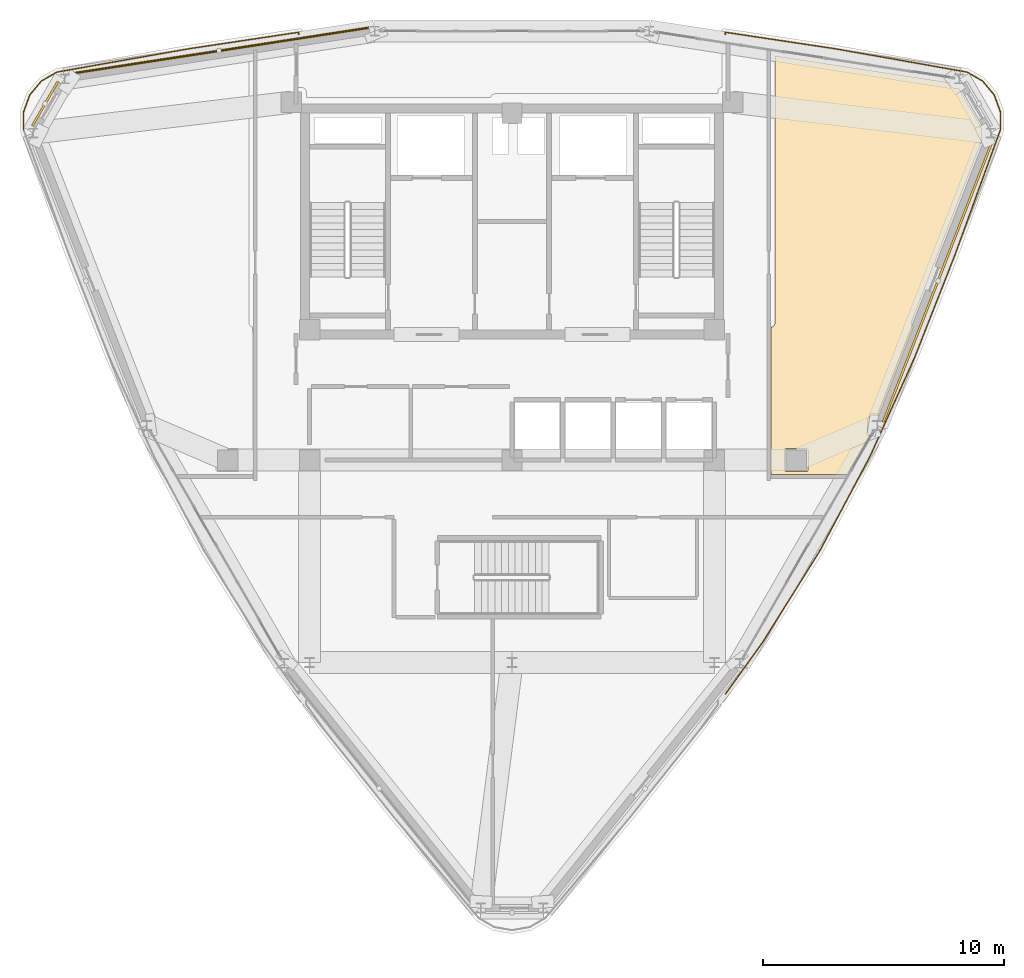
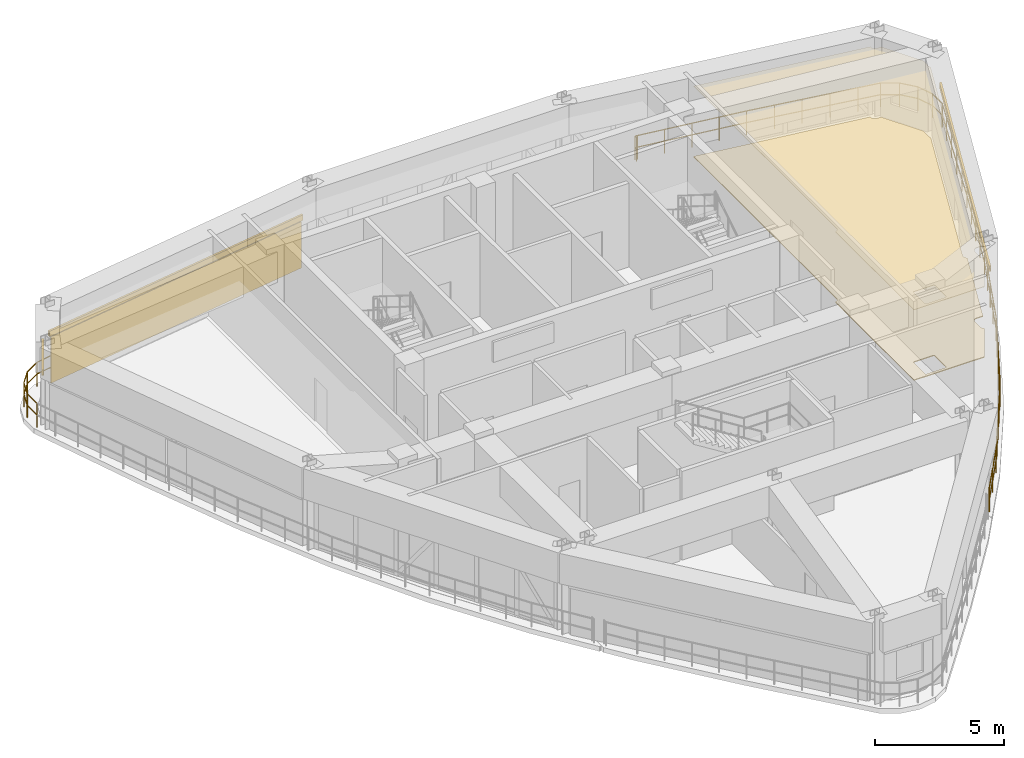
# One storey, part 17 of 18: 3 coverings, 3 shading devices, 2 railings.
"""IFC4 building model written with IfcOpenShell, lengths in metres."""

from ifc_helpers import new_model, si_unit, derived_unit, direction, frame, origin, origin_2d, place, context, subcontext, project, spatial, polyline, hollow_rectangle, circle, outline, extrude, source, transform, mapped, material, layer, layer_set, material_profile, profile_set, type_object, element, save


model = new_model("IFC4")

# Units and contexts
model_context = context("Model", 3, precision=1e-05, world=origin(), true_north=direction((0.0, 1.0)))
body_context = subcontext(model_context, "Body", "Model", "MODEL_VIEW")
ifc_project = project(units=[si_unit("LENGTHUNIT", "METRE"), si_unit("AREAUNIT", "SQUARE_METRE"), si_unit("VOLUMEUNIT", "CUBIC_METRE"), si_unit("PLANEANGLEUNIT", "RADIAN"), si_unit("MASSUNIT", "GRAM", prefix="KILO"), derived_unit("THERMALTRANSMITTANCEUNIT", [(si_unit("POWERUNIT", "WATT"), 1), (si_unit("LENGTHUNIT", "METRE"), -2), (si_unit("THERMODYNAMICTEMPERATUREUNIT", "KELVIN"), -1)])], contexts=[model_context])

# Site, building, storey
site_placement = place(None, origin())
site = spatial("IfcSite", under=ifc_project, at=site_placement, CompositionType="ELEMENT")
building_placement = place(site_placement, origin())
building = spatial("IfcBuilding", under=site, at=building_placement, Name="Korsvarv Bourse and Concert Hall", CompositionType="ELEMENT")
storey_placement = place(building_placement, frame((0.0, 0.0, 275.39990234375)))
storey = spatial("IfcBuildingStorey", under=building, at=storey_placement, Name="L72", CompositionType="ELEMENT", Elevation=275.39990234375)

# Coverings
ifc_material_1 = material(Name="Perforated mineral-wool and birch acoustic baffle ceiling", Category="wood")
ifc_layer_1 = layer(ifc_material_1, 0.02490234375)
ifc_layer_set_1 = layer_set([ifc_layer_1], Name="Perforated mineral-wool and birch acoustic baffle ceiling")
covering_type_1 = type_object("IfcCoveringType", Name="COV-CEIL-1", PredefinedType="CEILING", material=ifc_layer_set_1)
covering_1_placement = place(storey_placement, frame((0.0, 0.0, 3.340087890625)))
element("IfcCovering", 1, at=covering_1_placement, inside=storey, type_object=covering_type_1, Name="L72 acoustic baffle ceiling 1", PredefinedType="CEILING", context=body_context, shape_type="SweptSolid", body=[
    extrude(outline(polyline([(46.75, 37.911376953125), (46.775146484375, 37.915771484375), (46.809326171875, 37.928466796875), (46.840087890625, 37.94775390625), (46.86669921875, 37.972900390625), (46.887451171875, 38.002685546875), (46.901611328125, 38.0361328125), (46.9091796875, 38.07177734375), (46.909912109375, 49.174560546875), (54.173583984375, 48.055908203125), (54.173583984375, 48.018798828125), (54.177001953125, 47.984375), (54.186767578125, 47.951416015625), (54.20263671875, 47.920654296875), (54.22412109375, 47.893798828125), (54.250244140625, 47.871337890625), (54.280517578125, 47.854248046875), (54.31298828125, 47.84326171875), (54.347412109375, 47.8388671875), (54.532958984375, 47.832275390625), (55.483154296875, 46.186279296875), (55.472900390625, 45.772705078125), (55.4755859375, 45.7373046875), (55.485107421875, 45.703125), (55.5009765625, 45.671630859375), (52.585693359375, 38.144287109375), (52.576171875, 38.109130859375), (52.57373046875, 38.07275390625), (52.57861328125, 38.03662109375), (52.5908203125, 38.00244140625), (52.609619140625, 37.97119140625), (52.634033203125, 37.9443359375), (52.66357421875, 37.923095703125), (51.23291015625, 34.222412109375), (50.9482421875, 34.22509765625), (50.913330078125, 34.22216796875), (50.8798828125, 34.21240234375), (50.8486328125, 34.1962890625), (50.8212890625, 34.1748046875), (50.798583984375, 34.14794921875), (50.781494140625, 34.117431640625), (50.770751953125, 34.084228515625), (50.7666015625, 34.049560546875), (50.756591796875, 33.640625), (50.759033203125, 33.605712890625), (50.768310546875, 33.572265625), (50.78369140625, 33.541015625), (50.804931640625, 33.51318359375), (50.8310546875, 33.490234375), (50.861083984375, 33.47265625), (49.8994140625, 31.794921875), (49.874267578125, 31.802001953125), (49.8388671875, 31.8056640625), (46.75, 31.81005859375), (46.75, 37.911376953125)]), holes=[polyline([(47.365234375, 31.926025390625), (48.22509765625, 31.925048828125), (48.24853515625, 31.930908203125), (48.2666015625, 31.947265625), (48.27490234375, 31.97021484375), (48.27490234375, 32.824951171875), (48.26904296875, 32.8486328125), (48.252685546875, 32.86669921875), (48.22998046875, 32.874755859375), (47.375, 32.875), (47.351318359375, 32.869140625), (47.33349609375, 32.852783203125), (47.3251953125, 32.829833984375), (47.324951171875, 31.97509765625), (47.330810546875, 31.951416015625), (47.365234375, 31.926025390625)])]), origin(), (0.0, 0.0, 1.0), 0.02490234375),
])
ifc_material_2 = material(Name="Warm iron-oxide extruded terracotta rainscreen tile", Category="ceramic")
ifc_layer_2 = layer(ifc_material_2, 0.044921875)
ifc_layer_set_2 = layer_set([ifc_layer_2], Name="Warm iron-oxide extruded terracotta rainscreen tile")
covering_type_2 = type_object("IfcCoveringType", Name="COV-CLD-TC", PredefinedType="CLADDING", material=ifc_layer_set_2)
covering_2_placement = place(storey_placement, origin())
element("IfcCovering", 2, at=covering_2_placement, inside=storey, type_object=covering_type_2, Name="L72 fluted terracotta cladding panel EW-L72-B04", PredefinedType="CLADDING", context=body_context, shape_type="SweptSolid", body=[
    extrude(outline(polyline([(29.99560546875, 50.289306640625), (17.699951171875, 48.3955078125), (17.693115234375, 48.43994140625), (29.98876953125, 50.333740234375), (29.99560546875, 50.289306640625)])), origin(), (0.0, 0.0, 1.0), 2.2001953125),
])
ifc_material_3 = material(Name="Calcium-sulphate raised access trading floor with Nordic oak top", Category="wood")
ifc_layer_3 = layer(ifc_material_3, 0.0400390625)
ifc_layer_set_3 = layer_set([ifc_layer_3], Name="Calcium-sulphate raised access trading floor with Nordic oak top")
covering_type_3 = type_object("IfcCoveringType", Name="COV-FLOR-1", PredefinedType="FLOORING", material=ifc_layer_set_3)
covering_3_placement = place(storey_placement, origin())
element("IfcCovering", 3, at=covering_3_placement, inside=storey, type_object=covering_type_3, Name="L72 raised access oak floor finish 1", PredefinedType="FLOORING", context=body_context, shape_type="SweptSolid", body=[
    extrude(outline(polyline([(46.75, 37.911376953125), (46.775146484375, 37.915771484375), (46.809326171875, 37.928466796875), (46.840087890625, 37.94775390625), (46.86669921875, 37.972900390625), (46.887451171875, 38.002685546875), (46.901611328125, 38.0361328125), (46.9091796875, 38.07177734375), (46.909912109375, 49.174560546875), (54.173583984375, 48.055908203125), (54.173583984375, 48.018798828125), (54.177001953125, 47.984375), (54.186767578125, 47.951416015625), (54.20263671875, 47.920654296875), (54.22412109375, 47.893798828125), (54.250244140625, 47.871337890625), (54.280517578125, 47.854248046875), (54.31298828125, 47.84326171875), (54.347412109375, 47.8388671875), (54.532958984375, 47.832275390625), (55.483154296875, 46.186279296875), (55.472900390625, 45.772705078125), (55.4755859375, 45.7373046875), (55.485107421875, 45.703125), (55.5009765625, 45.671630859375), (52.585693359375, 38.144287109375), (52.576171875, 38.109130859375), (52.57373046875, 38.07275390625), (52.57861328125, 38.03662109375), (52.5908203125, 38.00244140625), (52.609619140625, 37.97119140625), (52.634033203125, 37.9443359375), (52.66357421875, 37.923095703125), (51.23291015625, 34.222412109375), (50.9482421875, 34.22509765625), (50.913330078125, 34.22216796875), (50.8798828125, 34.21240234375), (50.8486328125, 34.1962890625), (50.8212890625, 34.1748046875), (50.798583984375, 34.14794921875), (50.781494140625, 34.117431640625), (50.770751953125, 34.084228515625), (50.7666015625, 34.049560546875), (50.756591796875, 33.640625), (50.759033203125, 33.605712890625), (50.768310546875, 33.572265625), (50.78369140625, 33.541015625), (50.804931640625, 33.51318359375), (50.8310546875, 33.490234375), (50.861083984375, 33.47265625), (49.8994140625, 31.794921875), (49.874267578125, 31.802001953125), (49.8388671875, 31.8056640625), (46.75, 31.81005859375), (46.75, 37.911376953125)]), holes=[polyline([(47.365234375, 31.926025390625), (48.22509765625, 31.925048828125), (48.24853515625, 31.930908203125), (48.2666015625, 31.947265625), (48.27490234375, 31.97021484375), (48.27490234375, 32.824951171875), (48.26904296875, 32.8486328125), (48.252685546875, 32.86669921875), (48.22998046875, 32.874755859375), (47.375, 32.875), (47.351318359375, 32.869140625), (47.33349609375, 32.852783203125), (47.3251953125, 32.829833984375), (47.324951171875, 31.97509765625), (47.330810546875, 31.951416015625), (47.365234375, 31.926025390625)])]), origin(), (0.0, 0.0, 1.0), 0.0400390625),
])

# Railings
ifc_material_4 = material(Name="Laminated safety glass and stainless Steel S355 balustrade", Category="steel")
railing_type = type_object("IfcRailingType", Name="RL-BAL-EXT", PredefinedType="BALUSTRADE", material=ifc_material_4)
railing_1_placement = place(storey_placement, frame((15.7353515625, 46.100830078125, 0.0)))
element("IfcRailing", 4, at=railing_1_placement, inside=storey, type_object=railing_type, Name="L72 terrace perimeter balustrade SKYG1-1", PredefinedType="BALUSTRADE", context=body_context, shape_type="SweptSolid", body=[
    extrude(circle(Radius=0.02392578125, at=origin_2d()), frame((0.0, 0.0, 1.1259765625), z_axis=(0.0, 1.0, 0.0), x_axis=(-1.0, 0.0, 0.0)), (0.0, 0.0, 1.0), 0.748291015625),
    extrude(circle(Radius=0.02392578125, at=origin_2d()), frame((0.0, 0.0, 0.574951171875), z_axis=(0.0, 1.0, 0.0), x_axis=(-1.0, 0.0, 0.0)), (0.0, 0.0, 1.0), 0.748291015625),
    extrude(circle(Radius=0.02392578125, at=origin_2d()), frame((0.0, 0.748291015625, 1.1259765625), z_axis=(0.342057522648, 0.939679014983, 0.0), x_axis=(-0.939679014983, 0.342057522648, 0.0)), (0.0, 0.0, 1.0), 0.748046875),
    extrude(circle(Radius=0.02392578125, at=origin_2d()), frame((0.0, 0.748291015625, 0.574951171875), z_axis=(0.342057522648, 0.939679014983, 0.0), x_axis=(-0.939679014983, 0.342057522648, 0.0)), (0.0, 0.0, 1.0), 0.748046875),
    extrude(circle(Radius=0.02392578125, at=origin_2d()), frame((0.255859375, 1.451171875, 1.1259765625), z_axis=(0.642908859088, 0.765942686437, 0.0), x_axis=(-0.765942686437, 0.642908859088, 0.0)), (0.0, 0.0, 1.0), 0.748046875),
    extrude(circle(Radius=0.02392578125, at=origin_2d()), frame((0.255859375, 1.451171875, 0.574951171875), z_axis=(0.642908859088, 0.765942686437, 0.0), x_axis=(-0.765942686437, 0.642908859088, 0.0)), (0.0, 0.0, 1.0), 0.748046875),
    extrude(circle(Radius=0.02392578125, at=origin_2d()), frame((0.73681640625, 2.024169921875, 1.1259765625), z_axis=(0.865984448825, 0.500070929363, 0.0), x_axis=(-0.500070929363, 0.865984448825, 0.0)), (0.0, 0.0, 1.0), 0.748046875),
    extrude(circle(Radius=0.02392578125, at=origin_2d()), frame((0.73681640625, 2.024169921875, 0.574951171875), z_axis=(0.865984448825, 0.500070929363, 0.0), x_axis=(-0.500070929363, 0.865984448825, 0.0)), (0.0, 0.0, 1.0), 0.748046875),
    extrude(circle(Radius=0.02392578125, at=origin_2d()), frame((1.384521484375, 2.398193359375, 1.1259765625), z_axis=(0.984759782106, 0.173920014794, 0.0), x_axis=(-0.173920014794, 0.984759782106, 0.0)), (0.0, 0.0, 1.0), 0.9306640625),
    extrude(circle(Radius=0.02392578125, at=origin_2d()), frame((1.384521484375, 2.398193359375, 0.574951171875), z_axis=(0.984759782106, 0.173920014794, 0.0), x_axis=(-0.173920014794, 0.984759782106, 0.0)), (0.0, 0.0, 1.0), 0.9306640625),
    extrude(circle(Radius=0.02392578125, at=origin_2d()), frame((2.301025390625, 2.56005859375, 1.1259765625), z_axis=(0.984668233692, 0.174437580692, 0.0), x_axis=(-0.174437580692, 0.984668233692, 0.0)), (0.0, 0.0, 1.0), 4.590576171875),
    extrude(circle(Radius=0.02392578125, at=origin_2d()), frame((2.301025390625, 2.56005859375, 0.574951171875), z_axis=(0.984668233692, 0.174437580692, 0.0), x_axis=(-0.174437580692, 0.984668233692, 0.0)), (0.0, 0.0, 1.0), 4.590576171875),
    extrude(circle(Radius=0.02392578125, at=origin_2d()), frame((6.8212890625, 3.36083984375, 1.1259765625), z_axis=(0.98890286485, 0.148563534866, 0.0), x_axis=(-0.148563534866, 0.98890286485, 0.0)), (0.0, 0.0, 1.0), 4.548828125),
    extrude(circle(Radius=0.02392578125, at=origin_2d()), frame((6.8212890625, 3.36083984375, 0.574951171875), z_axis=(0.98890286485, 0.148563534866, 0.0), x_axis=(-0.148563534866, 0.98890286485, 0.0)), (0.0, 0.0, 1.0), 4.548828125),
    extrude(circle(Radius=0.02392578125, at=origin_2d()), frame((11.319580078125, 4.03662109375, 1.1259765625), z_axis=(0.995011832525, 0.099756970356, 0.0), x_axis=(-0.099756970356, 0.995011832525, 0.0)), (0.0, 0.0, 1.0), 0.095458984375),
    extrude(circle(Radius=0.02392578125, at=origin_2d()), frame((11.319580078125, 4.03662109375, 0.574951171875), z_axis=(0.995011832525, 0.099756970356, 0.0), x_axis=(-0.099756970356, 0.995011832525, 0.0)), (0.0, 0.0, 1.0), 0.095458984375),
    extrude(circle(Radius=0.02392578125, at=origin_2d()), frame((11.41455078125, 4.046142578125, 1.1259765625), z_axis=(0.0, -1.0, 0.0), x_axis=(1.0, 0.0, 0.0)), (0.0, 0.0, 1.0), 0.096923828125),
    extrude(circle(Radius=0.02392578125, at=origin_2d()), frame((11.41455078125, 4.046142578125, 0.574951171875), z_axis=(0.0, -1.0, 0.0), x_axis=(1.0, 0.0, 0.0)), (0.0, 0.0, 1.0), 0.096923828125),
    extrude(circle(Radius=0.02099609375, at=origin_2d()), origin(), (0.0, 0.0, 1.0), 1.101806640625),
    extrude(circle(Radius=0.02099609375, at=origin_2d()), frame((0.0, 0.748291015625, 0.0)), (0.0, 0.0, 1.0), 1.101806640625),
    extrude(circle(Radius=0.02099609375, at=origin_2d()), frame((0.255859375, 1.451171875, 0.0)), (0.0, 0.0, 1.0), 1.101806640625),
    extrude(circle(Radius=0.02099609375, at=origin_2d()), frame((0.73681640625, 2.024169921875, 0.0)), (0.0, 0.0, 1.0), 1.101806640625),
    extrude(circle(Radius=0.02099609375, at=origin_2d()), frame((1.384521484375, 2.398193359375, 0.0)), (0.0, 0.0, 1.0), 1.101806640625),
    extrude(circle(Radius=0.02099609375, at=origin_2d()), frame((2.301025390625, 2.56005859375, 0.0)), (0.0, 0.0, 1.0), 1.101806640625),
    extrude(circle(Radius=0.02099609375, at=origin_2d()), frame((3.43115234375, 2.76025390625, 0.0)), (0.0, 0.0, 1.0), 1.101806640625),
    extrude(circle(Radius=0.02099609375, at=origin_2d()), frame((4.56103515625, 2.96044921875, 0.0)), (0.0, 0.0, 1.0), 1.101806640625),
    extrude(circle(Radius=0.02099609375, at=origin_2d()), frame((5.691162109375, 3.16064453125, 0.0)), (0.0, 0.0, 1.0), 1.101806640625),
    extrude(circle(Radius=0.02099609375, at=origin_2d()), frame((6.8212890625, 3.36083984375, 0.0)), (0.0, 0.0, 1.0), 1.101806640625),
    extrude(circle(Radius=0.02099609375, at=origin_2d()), frame((7.94580078125, 3.52978515625, 0.0)), (0.0, 0.0, 1.0), 1.101806640625),
    extrude(circle(Radius=0.02099609375, at=origin_2d()), frame((9.0703125, 3.69873046875, 0.0)), (0.0, 0.0, 1.0), 1.101806640625),
    extrude(circle(Radius=0.02099609375, at=origin_2d()), frame((10.195068359375, 3.86767578125, 0.0)), (0.0, 0.0, 1.0), 1.101806640625),
    extrude(circle(Radius=0.02099609375, at=origin_2d()), frame((11.319580078125, 4.03662109375, 0.0)), (0.0, 0.0, 1.0), 1.101806640625),
    extrude(circle(Radius=0.02099609375, at=origin_2d()), frame((11.41455078125, 4.046142578125, 0.0)), (0.0, 0.0, 1.0), 1.101806640625),
    extrude(circle(Radius=0.02099609375, at=origin_2d()), frame((11.41455078125, 3.94921875, 0.0)), (0.0, 0.0, 1.0), 1.101806640625),
])
railing_2_placement = place(storey_placement, frame((44.85009765625, 50.050048828125, 0.0)))
element("IfcRailing", 5, at=railing_2_placement, inside=storey, type_object=railing_type, Name="L72 terrace perimeter balustrade SKYG2-1", PredefinedType="BALUSTRADE", context=body_context, shape_type="SweptSolid", body=[
    extrude(circle(Radius=0.02392578125, at=origin_2d()), frame((0.0, 0.0, 1.1259765625), z_axis=(0.0, 1.0, 0.0), x_axis=(-1.0, 0.0, 0.0)), (0.0, 0.0, 1.0), 0.096923828125),
    extrude(circle(Radius=0.02392578125, at=origin_2d()), frame((0.0, 0.0, 0.574951171875), z_axis=(0.0, 1.0, 0.0), x_axis=(-1.0, 0.0, 0.0)), (0.0, 0.0, 1.0), 0.096923828125),
    extrude(circle(Radius=0.02392578125, at=origin_2d()), frame((0.0, 0.096923828125, 1.1259765625), z_axis=(0.995011832525, -0.099756970356, 0.0), x_axis=(0.099756970356, 0.995011832525, 0.0)), (0.0, 0.0, 1.0), 0.095458984375),
    extrude(circle(Radius=0.02392578125, at=origin_2d()), frame((0.0, 0.096923828125, 0.574951171875), z_axis=(0.995011832525, -0.099756970356, 0.0), x_axis=(0.099756970356, 0.995011832525, 0.0)), (0.0, 0.0, 1.0), 0.095458984375),
    extrude(circle(Radius=0.02392578125, at=origin_2d()), frame((0.094970703125, 0.08740234375, 1.1259765625), z_axis=(0.98890286485, -0.148563534866, 0.0), x_axis=(0.148563534866, 0.98890286485, 0.0)), (0.0, 0.0, 1.0), 4.548828125),
    extrude(circle(Radius=0.02392578125, at=origin_2d()), frame((0.094970703125, 0.08740234375, 0.574951171875), z_axis=(0.98890286485, -0.148563534866, 0.0), x_axis=(0.148563534866, 0.98890286485, 0.0)), (0.0, 0.0, 1.0), 4.548828125),
    extrude(circle(Radius=0.02392578125, at=origin_2d()), frame((4.59326171875, -0.58837890625, 1.1259765625), z_axis=(0.984662335567, -0.174470871253, 0.0), x_axis=(0.174470871253, 0.984662335567, 0.0)), (0.0, 0.0, 1.0), 4.591064453125),
    extrude(circle(Radius=0.02392578125, at=origin_2d()), frame((4.59326171875, -0.58837890625, 0.574951171875), z_axis=(0.984662335567, -0.174470871253, 0.0), x_axis=(0.174470871253, 0.984662335567, 0.0)), (0.0, 0.0, 1.0), 4.591064453125),
    extrude(circle(Radius=0.02392578125, at=origin_2d()), frame((9.114013671875, -1.389404296875, 1.1259765625), z_axis=(0.984788843001, -0.173755387544, 0.0), x_axis=(0.173755387544, 0.984788843001, 0.0)), (0.0, 0.0, 1.0), 0.93017578125),
    extrude(circle(Radius=0.02392578125, at=origin_2d()), frame((9.114013671875, -1.389404296875, 0.574951171875), z_axis=(0.984788843001, -0.173755387544, 0.0), x_axis=(0.173755387544, 0.984788843001, 0.0)), (0.0, 0.0, 1.0), 0.93017578125),
    extrude(circle(Radius=0.02392578125, at=origin_2d()), frame((10.030029296875, -1.551025390625, 1.1259765625), z_axis=(0.865984448825, -0.500070929363, 0.0), x_axis=(0.500070929363, 0.865984448825, 0.0)), (0.0, 0.0, 1.0), 0.748046875),
    extrude(circle(Radius=0.02392578125, at=origin_2d()), frame((10.030029296875, -1.551025390625, 0.574951171875), z_axis=(0.865984448825, -0.500070929363, 0.0), x_axis=(0.500070929363, 0.865984448825, 0.0)), (0.0, 0.0, 1.0), 0.748046875),
    extrude(circle(Radius=0.02392578125, at=origin_2d()), frame((10.677734375, -1.925048828125, 1.1259765625), z_axis=(0.642908859088, -0.765942686437, 0.0), x_axis=(0.765942686437, 0.642908859088, 0.0)), (0.0, 0.0, 1.0), 0.748046875),
    extrude(circle(Radius=0.02392578125, at=origin_2d()), frame((10.677734375, -1.925048828125, 0.574951171875), z_axis=(0.642908859088, -0.765942686437, 0.0), x_axis=(0.765942686437, 0.642908859088, 0.0)), (0.0, 0.0, 1.0), 0.748046875),
    extrude(circle(Radius=0.02392578125, at=origin_2d()), frame((11.15869140625, -2.498046875, 1.1259765625), z_axis=(0.342057522648, -0.939679014983, 0.0), x_axis=(0.939679014983, 0.342057522648, 0.0)), (0.0, 0.0, 1.0), 0.748046875),
    extrude(circle(Radius=0.02392578125, at=origin_2d()), frame((11.15869140625, -2.498046875, 0.574951171875), z_axis=(0.342057522648, -0.939679014983, 0.0), x_axis=(0.939679014983, 0.342057522648, 0.0)), (0.0, 0.0, 1.0), 0.748046875),
    extrude(circle(Radius=0.02392578125, at=origin_2d()), frame((11.41455078125, -3.200927734375, 1.1259765625), z_axis=(0.0, -1.0, 0.0), x_axis=(1.0, 0.0, 0.0)), (0.0, 0.0, 1.0), 0.748291015625),
    extrude(circle(Radius=0.02392578125, at=origin_2d()), frame((11.41455078125, -3.200927734375, 0.574951171875), z_axis=(0.0, -1.0, 0.0), x_axis=(1.0, 0.0, 0.0)), (0.0, 0.0, 1.0), 0.748291015625),
    extrude(circle(Radius=0.02392578125, at=origin_2d()), frame((11.41455078125, -3.94921875, 1.1259765625), z_axis=(-0.342164394589, -0.93964010508, 0.0), x_axis=(0.93964010508, -0.342164394589, 0.0)), (0.0, 0.0, 1.0), 0.930419921875),
    extrude(circle(Radius=0.02392578125, at=origin_2d()), frame((11.41455078125, -3.94921875, 0.574951171875), z_axis=(-0.342164394589, -0.93964010508, 0.0), x_axis=(0.93964010508, -0.342164394589, 0.0)), (0.0, 0.0, 1.0), 0.930419921875),
    extrude(circle(Radius=0.02392578125, at=origin_2d()), frame((11.09619140625, -4.823486328125, 1.1259765625), z_axis=(-0.341230579447, -0.939979622997, 0.0), x_axis=(0.939979622997, -0.341230579447, 0.0)), (0.0, 0.0, 1.0), 4.590576171875),
    extrude(circle(Radius=0.02392578125, at=origin_2d()), frame((11.09619140625, -4.823486328125, 0.574951171875), z_axis=(-0.341230579447, -0.939979622997, 0.0), x_axis=(0.939979622997, -0.341230579447, 0.0)), (0.0, 0.0, 1.0), 4.590576171875),
    extrude(circle(Radius=0.02392578125, at=origin_2d()), frame((9.52978515625, -9.138427734375, 1.1259765625), z_axis=(-0.365806723351, -0.930690840801, 0.0), x_axis=(0.930690840801, -0.365806723351, 0.0)), (0.0, 0.0, 1.0), 4.551025390625),
    extrude(circle(Radius=0.02392578125, at=origin_2d()), frame((9.52978515625, -9.138427734375, 0.574951171875), z_axis=(-0.365806723351, -0.930690840801, 0.0), x_axis=(0.930690840801, -0.365806723351, 0.0)), (0.0, 0.0, 1.0), 4.551025390625),
    extrude(circle(Radius=0.02392578125, at=origin_2d()), frame((7.864990234375, -13.3740234375, 1.1259765625), z_axis=(-0.411021108265, -0.911625827059, 0.0), x_axis=(0.911625827059, -0.411021108265, 0.0)), (0.0, 0.0, 1.0), 4.49951171875),
    extrude(circle(Radius=0.02392578125, at=origin_2d()), frame((7.864990234375, -13.3740234375, 0.574951171875), z_axis=(-0.411021108265, -0.911625827059, 0.0), x_axis=(0.911625827059, -0.411021108265, 0.0)), (0.0, 0.0, 1.0), 4.49951171875),
    extrude(circle(Radius=0.02392578125, at=origin_2d()), frame((6.015625, -17.475830078125, 1.1259765625), z_axis=(-0.469189840622, -0.883097329549, 0.0), x_axis=(0.883097329549, -0.469189840622, 0.0)), (0.0, 0.0, 1.0), 4.46923828125),
    extrude(circle(Radius=0.02392578125, at=origin_2d()), frame((6.015625, -17.475830078125, 0.574951171875), z_axis=(-0.469189840622, -0.883097329549, 0.0), x_axis=(0.883097329549, -0.469189840622, 0.0)), (0.0, 0.0, 1.0), 4.46923828125),
    extrude(circle(Radius=0.02392578125, at=origin_2d()), frame((3.918701171875, -21.422607421875, 1.1259765625), z_axis=(-0.530170794452, -0.847890870756, 0.0), x_axis=(0.847890870756, -0.530170794452, 0.0)), (0.0, 0.0, 1.0), 4.468994140625),
    extrude(circle(Radius=0.02392578125, at=origin_2d()), frame((3.918701171875, -21.422607421875, 0.574951171875), z_axis=(-0.530170794452, -0.847890870756, 0.0), x_axis=(0.847890870756, -0.530170794452, 0.0)), (0.0, 0.0, 1.0), 4.468994140625),
    extrude(circle(Radius=0.02392578125, at=origin_2d()), frame((1.54931640625, -25.2119140625, 1.1259765625), z_axis=(-0.584038003809, -0.81172631478, 0.0), x_axis=(0.81172631478, -0.584038003809, 0.0)), (0.0, 0.0, 1.0), 2.65283203125),
    extrude(circle(Radius=0.02392578125, at=origin_2d()), frame((1.54931640625, -25.2119140625, 0.574951171875), z_axis=(-0.584038003809, -0.81172631478, 0.0), x_axis=(0.81172631478, -0.584038003809, 0.0)), (0.0, 0.0, 1.0), 2.65283203125),
    extrude(circle(Radius=0.02099609375, at=origin_2d()), origin(), (0.0, 0.0, 1.0), 1.101806640625),
    extrude(circle(Radius=0.02099609375, at=origin_2d()), frame((0.0, 0.096923828125, 0.0)), (0.0, 0.0, 1.0), 1.101806640625),
    extrude(circle(Radius=0.02099609375, at=origin_2d()), frame((0.094970703125, 0.08740234375, 0.0)), (0.0, 0.0, 1.0), 1.101806640625),
    extrude(circle(Radius=0.02099609375, at=origin_2d()), frame((1.219482421875, -0.08154296875, 0.0)), (0.0, 0.0, 1.0), 1.101806640625),
    extrude(circle(Radius=0.02099609375, at=origin_2d()), frame((2.34423828125, -0.25048828125, 0.0)), (0.0, 0.0, 1.0), 1.101806640625),
    extrude(circle(Radius=0.02099609375, at=origin_2d()), frame((3.46875, -0.41943359375, 0.0)), (0.0, 0.0, 1.0), 1.101806640625),
    extrude(circle(Radius=0.02099609375, at=origin_2d()), frame((4.59326171875, -0.58837890625, 0.0)), (0.0, 0.0, 1.0), 1.101806640625),
    extrude(circle(Radius=0.02099609375, at=origin_2d()), frame((5.723388671875, -0.78857421875, 0.0)), (0.0, 0.0, 1.0), 1.101806640625),
    extrude(circle(Radius=0.02099609375, at=origin_2d()), frame((6.853515625, -0.98876953125, 0.0)), (0.0, 0.0, 1.0), 1.101806640625),
    extrude(circle(Radius=0.02099609375, at=origin_2d()), frame((7.98388671875, -1.189208984375, 0.0)), (0.0, 0.0, 1.0), 1.101806640625),
    extrude(circle(Radius=0.02099609375, at=origin_2d()), frame((9.114013671875, -1.389404296875, 0.0)), (0.0, 0.0, 1.0), 1.101806640625),
    extrude(circle(Radius=0.02099609375, at=origin_2d()), frame((10.030029296875, -1.551025390625, 0.0)), (0.0, 0.0, 1.0), 1.101806640625),
    extrude(circle(Radius=0.02099609375, at=origin_2d()), frame((10.677734375, -1.925048828125, 0.0)), (0.0, 0.0, 1.0), 1.101806640625),
    extrude(circle(Radius=0.02099609375, at=origin_2d()), frame((11.15869140625, -2.498046875, 0.0)), (0.0, 0.0, 1.0), 1.101806640625),
    extrude(circle(Radius=0.02099609375, at=origin_2d()), frame((11.41455078125, -3.200927734375, 0.0)), (0.0, 0.0, 1.0), 1.101806640625),
    extrude(circle(Radius=0.02099609375, at=origin_2d()), frame((11.41455078125, -3.94921875, 0.0)), (0.0, 0.0, 1.0), 1.101806640625),
    extrude(circle(Radius=0.02099609375, at=origin_2d()), frame((11.09619140625, -4.823486328125, 0.0)), (0.0, 0.0, 1.0), 1.101806640625),
    extrude(circle(Radius=0.02099609375, at=origin_2d()), frame((10.70458984375, -5.90234375, 0.0)), (0.0, 0.0, 1.0), 1.101806640625),
    extrude(circle(Radius=0.02099609375, at=origin_2d()), frame((10.31298828125, -6.98095703125, 0.0)), (0.0, 0.0, 1.0), 1.101806640625),
    extrude(circle(Radius=0.02099609375, at=origin_2d()), frame((9.92138671875, -8.0595703125, 0.0)), (0.0, 0.0, 1.0), 1.101806640625),
    extrude(circle(Radius=0.02099609375, at=origin_2d()), frame((9.52978515625, -9.138427734375, 0.0)), (0.0, 0.0, 1.0), 1.101806640625),
    extrude(circle(Radius=0.02099609375, at=origin_2d()), frame((9.113525390625, -10.197265625, 0.0)), (0.0, 0.0, 1.0), 1.101806640625),
    extrude(circle(Radius=0.02099609375, at=origin_2d()), frame((8.697265625, -11.25634765625, 0.0)), (0.0, 0.0, 1.0), 1.101806640625),
    extrude(circle(Radius=0.02099609375, at=origin_2d()), frame((8.28125, -12.315185546875, 0.0)), (0.0, 0.0, 1.0), 1.101806640625),
    extrude(circle(Radius=0.02099609375, at=origin_2d()), frame((7.864990234375, -13.3740234375, 0.0)), (0.0, 0.0, 1.0), 1.101806640625),
    extrude(circle(Radius=0.02099609375, at=origin_2d()), frame((7.402587890625, -14.3994140625, 0.0)), (0.0, 0.0, 1.0), 1.101806640625),
    extrude(circle(Radius=0.02099609375, at=origin_2d()), frame((6.9404296875, -15.4248046875, 0.0)), (0.0, 0.0, 1.0), 1.101806640625),
    extrude(circle(Radius=0.02099609375, at=origin_2d()), frame((6.47802734375, -16.450439453125, 0.0)), (0.0, 0.0, 1.0), 1.101806640625),
    extrude(circle(Radius=0.02099609375, at=origin_2d()), frame((6.015625, -17.475830078125, 0.0)), (0.0, 0.0, 1.0), 1.101806640625),
    extrude(circle(Radius=0.02099609375, at=origin_2d()), frame((5.491455078125, -18.46240234375, 0.0)), (0.0, 0.0, 1.0), 1.101806640625),
    extrude(circle(Radius=0.02099609375, at=origin_2d()), frame((4.96728515625, -19.44921875, 0.0)), (0.0, 0.0, 1.0), 1.101806640625),
    extrude(circle(Radius=0.02099609375, at=origin_2d()), frame((4.44287109375, -20.43603515625, 0.0)), (0.0, 0.0, 1.0), 1.101806640625),
    extrude(circle(Radius=0.02099609375, at=origin_2d()), frame((3.918701171875, -21.422607421875, 0.0)), (0.0, 0.0, 1.0), 1.101806640625),
    extrude(circle(Radius=0.02099609375, at=origin_2d()), frame((3.326416015625, -22.369873046875, 0.0)), (0.0, 0.0, 1.0), 1.101806640625),
    extrude(circle(Radius=0.02099609375, at=origin_2d()), frame((2.73388671875, -23.3173828125, 0.0)), (0.0, 0.0, 1.0), 1.101806640625),
    extrude(circle(Radius=0.02099609375, at=origin_2d()), frame((2.1416015625, -24.2646484375, 0.0)), (0.0, 0.0, 1.0), 1.101806640625),
    extrude(circle(Radius=0.02099609375, at=origin_2d()), frame((1.54931640625, -25.2119140625, 0.0)), (0.0, 0.0, 1.0), 1.101806640625),
    extrude(circle(Radius=0.02099609375, at=origin_2d()), frame((0.774658203125, -26.28857421875, 0.0)), (0.0, 0.0, 1.0), 1.101806640625),
    extrude(circle(Radius=0.02099609375, at=origin_2d()), frame((0.0, -27.365234375, 0.0)), (0.0, 0.0, 1.0), 1.101806640625),
])

# Shading devices
ifc_material_5 = material(Name="Glazed extruded architectural terracotta", Category="ceramic")
ifc_material_profile = material_profile(ifc_material_5, hollow_rectangle(XDim=0.090087890625, YDim=0.260009765625, WallThickness=0.011962890625, at=origin_2d()), Name="TC-BAG 90x260")
ifc_profile_set = profile_set([ifc_material_profile], Name="Glazed extruded architectural terracotta")
shading_device_type = type_object("IfcShadingDeviceType", Name="SHD-BAG-1", PredefinedType="USERDEFINED", material=ifc_profile_set)
shared_shape_1 = source(origin(), body_context, "Body", "SweptSolid", [
    extrude(hollow_rectangle(XDim=0.090087890625, YDim=0.260009765625, WallThickness=0.011962890625, at=origin_2d()), origin(), (0.0, 0.0, 1.0), 2.126220703125),
])
shading_device_1_placement = place(storey_placement, frame((17.15771484375, 48.106201171875, 2.360107421875), z_axis=(-0.500053759389, -0.865994363562, 0.0), x_axis=(0.865994363562, -0.500053759389, 0.0)))
element("IfcShadingDevice", 6, at=shading_device_1_placement, inside=storey, type_object=shading_device_type, Name="L72 terracotta baguette sunshade EW-L72-B05", ObjectType="BAGUETTE", PredefinedType="USERDEFINED", context=body_context, shape_type="MappedRepresentation", body=[
    mapped(shared_shape_1, transform((0.0, 0.0, 0.0), scale=1.0)),
])
shared_shape_2 = source(origin(), body_context, "Body", "SweptSolid", [
    extrude(hollow_rectangle(XDim=0.090087890625, YDim=0.260009765625, WallThickness=0.011962890625, at=origin_2d()), origin(), (0.0, 0.0, 1.0), 12.600830078125),
])
shading_device_2_placement = place(storey_placement, frame((30.068603515625, 50.341064453125, 2.360107421875), z_axis=(-0.988345027655, -0.152230438186, 0.0), x_axis=(0.152230438186, -0.988345027655, 0.0)))
element("IfcShadingDevice", 7, at=shading_device_2_placement, inside=storey, type_object=shading_device_type, Name="L72 terracotta baguette sunshade EW-L72-B04", ObjectType="BAGUETTE", PredefinedType="USERDEFINED", context=body_context, shape_type="MappedRepresentation", body=[
    mapped(shared_shape_2, transform((0.0, 0.0, 0.0), scale=1.0)),
])
shared_shape_3 = source(origin(), body_context, "Body", "SweptSolid", [
    extrude(hollow_rectangle(XDim=0.090087890625, YDim=0.260009765625, WallThickness=0.011962890625, at=origin_2d()), origin(), (0.0, 0.0, 1.0), 12.577880859375),
])
shading_device_3_placement = place(storey_placement, frame((51.398681640625, 33.97314453125, 2.360107421875), z_axis=(0.362350717064, 0.932041821939, 0.0), x_axis=(-0.932041821939, 0.362350717064, 0.0)))
element("IfcShadingDevice", 8, at=shading_device_3_placement, inside=storey, type_object=shading_device_type, Name="L72 terracotta baguette sunshade EW-L72-B12", ObjectType="BAGUETTE", PredefinedType="USERDEFINED", context=body_context, shape_type="MappedRepresentation", body=[
    mapped(shared_shape_3, transform((0.0, 0.0, 0.0), scale=1.0)),
])

save(model, "model.ifc")
